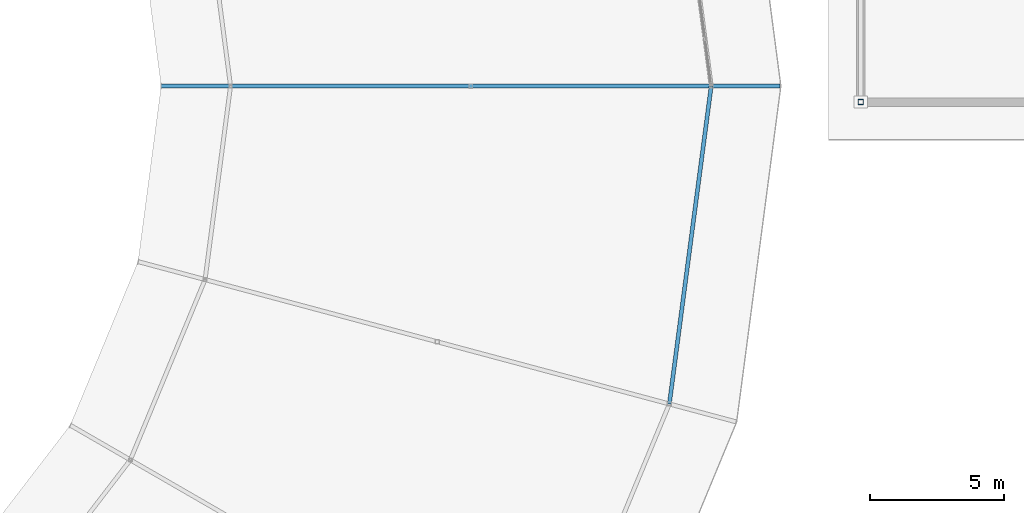
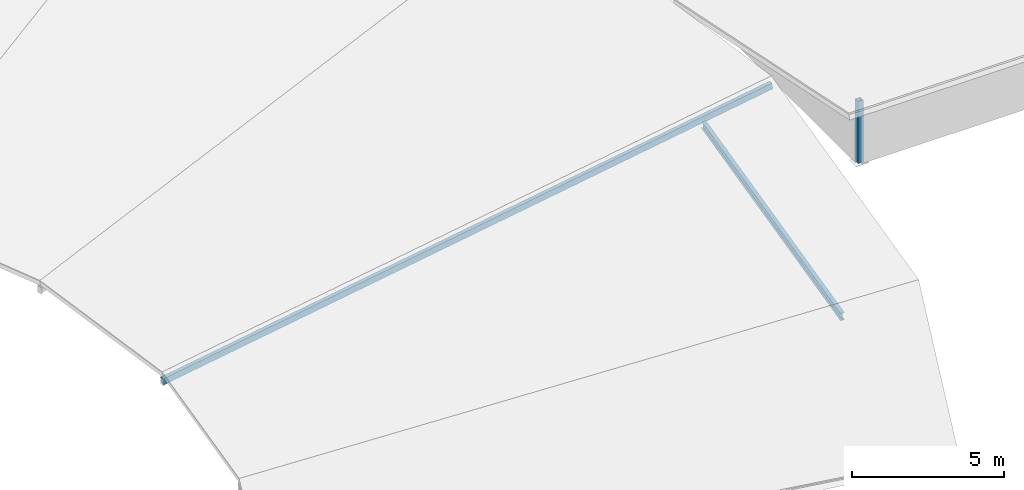
# One storey, part 114 of 200: 2 members, 1 beam.
"""IFC4 building model written with IfcOpenShell, lengths in metres."""

from ifc_helpers import new_model, si_unit, direction, frame, origin, origin_2d, place, context, subcontext, project, spatial, hollow_rectangle, i_section, extrude, material, material_profile, profile_set, type_object, element, save


model = new_model("IFC4")

# Units and contexts
model_context = context("Model", 3, precision=1e-05, world=origin(), true_north=direction((0.0, 1.0)))
body_context = subcontext(model_context, "Body", "Model", "MODEL_VIEW")
ifc_project = project(units=[si_unit("LENGTHUNIT", "METRE"), si_unit("AREAUNIT", "SQUARE_METRE"), si_unit("VOLUMEUNIT", "CUBIC_METRE"), si_unit("PLANEANGLEUNIT", "RADIAN"), si_unit("MASSUNIT", "GRAM", prefix="KILO")], contexts=[model_context])

# Site, building, storey
site_placement = place(None, origin())
site = spatial("IfcSite", under=ifc_project, at=site_placement, CompositionType="ELEMENT")
building_placement = place(site_placement, origin())
building = spatial("IfcBuilding", under=site, at=building_placement, Name="Vondelvale Polytechnic", CompositionType="ELEMENT")
storey_placement = place(building_placement, frame((0.0, 0.0, 13.800048828125)))
storey = spatial("IfcBuildingStorey", under=building, at=storey_placement, Name="L03", CompositionType="ELEMENT", Elevation=13.800048828125)

# Beam
ifc_material_1 = material(Name="Steel 300PLUS (fy = 300 MPa)", Category="steel")
ifc_material_profile_1 = material_profile(ifc_material_1, i_section(OverallWidth=0.14892578125, OverallDepth=0.298095703125, WebThickness=0.005615234375, FlangeThickness=0.008056640625, FilletRadius=0.011474609375, at=origin_2d()), Name="310UB32.0")
ifc_profile_set_1 = profile_set([ifc_material_profile_1], Name="Steel 300PLUS (fy = 300 MPa)")
beam_type = type_object("IfcBeamType", Name="BM-UB310L", PredefinedType="BEAM", material=ifc_profile_set_1)
beam_placement = place(storey_placement, frame((146.4326171875, 60.09423828125, 3.11083984375), z_axis=(0.130522880875, 0.991445297315, 0.0), x_axis=(-0.991445297315, 0.130522880875, 0.0)))
element("IfcBeam", 1, at=beam_placement, inside=storey, type_object=beam_type, Name="L03 RE B-25", PredefinedType="BEAM", context=body_context, shape_type="SweptSolid", body=[
    extrude(i_section(OverallWidth=0.14892578125, OverallDepth=0.298095703125, WebThickness=0.005615234375, FlangeThickness=0.008056640625, FilletRadius=0.011474609375, at=origin_2d()), origin(), (0.0, 0.0, 1.0), 12.008544921875),
])

# Members
ifc_material_2 = material(Name="Steel C350L0 (fy = 350 MPa)", Category="steel")
ifc_material_profile_2 = material_profile(ifc_material_2, hollow_rectangle(XDim=0.14990234375, YDim=0.25, WallThickness=0.006103515625, at=origin_2d()), Name="250x150x6.0RHS")
ifc_profile_set_2 = profile_set([ifc_material_profile_2], Name="Steel C350L0 (fy = 350 MPa)")
member_type_1 = type_object("IfcMemberType", Name="RAFTER RHS250", PredefinedType="RAFTER", material=ifc_profile_set_2)
member_1_placement = place(storey_placement, frame((150.60009765625, 72.0, 3.765625), z_axis=(-0.986849806177, 0.0, -0.161639908586), x_axis=(0.0, -1.0, 0.0)))
element("IfcMember", 2, at=member_1_placement, inside=storey, type_object=member_type_1, Name="Ring inward-sloping rafter 00", PredefinedType="RAFTER", context=body_context, shape_type="SweptSolid", body=[
    extrude(hollow_rectangle(XDim=0.14990234375, YDim=0.25, WallThickness=0.006103515625, at=origin_2d()), origin(), (0.0, 0.0, 1.0), 23.50927734375),
])
ifc_material_profile_3 = material_profile(ifc_material_2, hollow_rectangle(XDim=0.199951171875, YDim=0.199951171875, WallThickness=0.009033203125, at=origin_2d()), Name="200x200x9.0SHS")
ifc_profile_set_3 = profile_set([ifc_material_profile_3], Name="Steel C350L0 (fy = 350 MPa)")
member_type_2 = type_object("IfcMemberType", Name="ROOF TRUSS POST 200SHS", PredefinedType="POST", material=ifc_profile_set_3)
member_2_placement = place(storey_placement, frame((153.60009765625, 71.39990234375, 0.0), z_axis=(0.0, 0.0, 1.0), x_axis=(1.0, 0.0, 0.0)))
element("IfcMember", 3, at=member_2_placement, inside=storey, type_object=member_type_2, Name="Refectory wing roof post", PredefinedType="POST", context=body_context, shape_type="SweptSolid", body=[
    extrude(hollow_rectangle(XDim=0.199951171875, YDim=0.199951171875, WallThickness=0.009033203125, at=origin_2d()), origin(), (0.0, 0.0, 1.0), 2.494140625),
])

save(model, "model.ifc")
